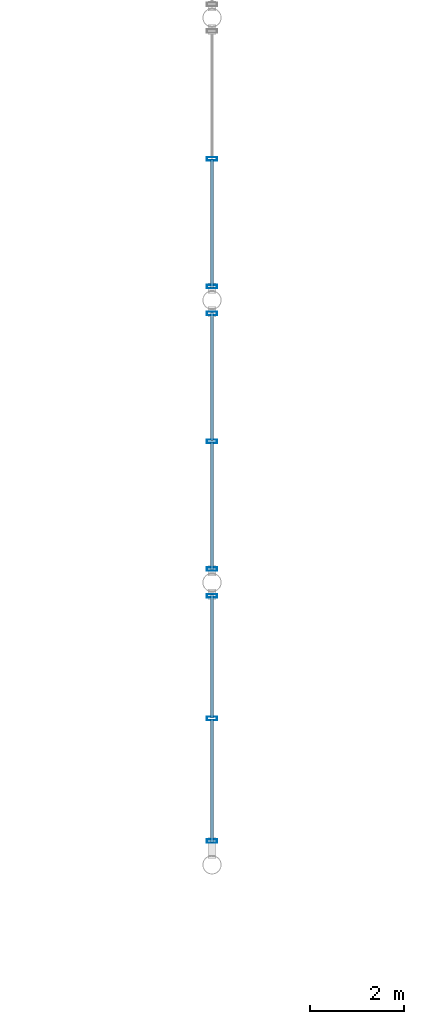
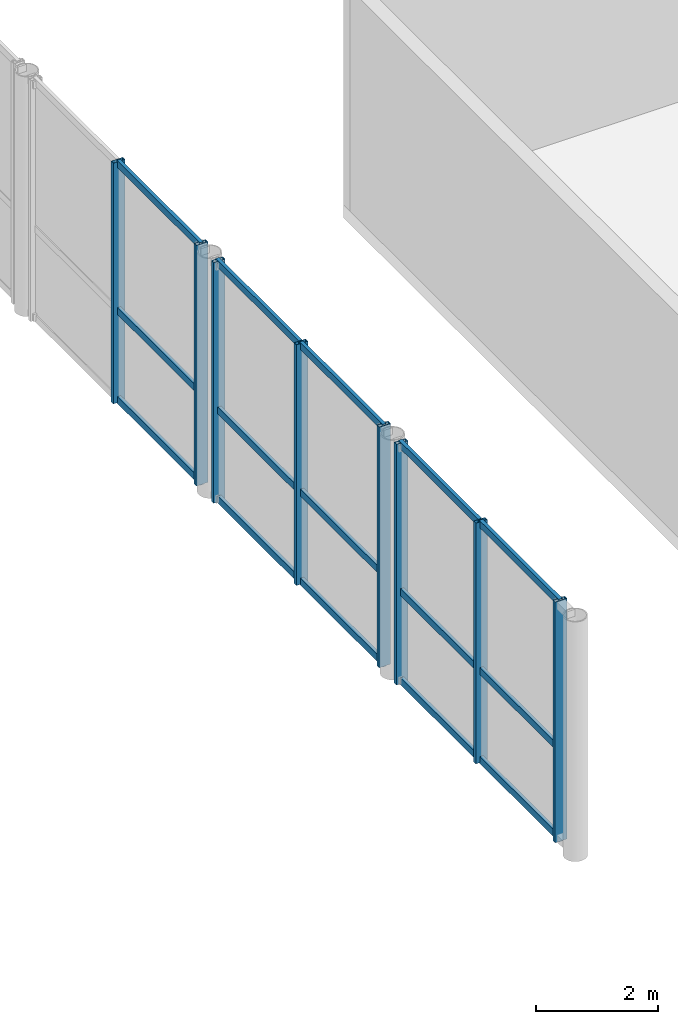
# One storey, part 34 of 123: 23 members, 3 elements without a shape of their own.
"""IFC4 building model written with IfcOpenShell, lengths in metres."""

from ifc_helpers import new_model, si_unit, direction, frame, origin, origin_2d, place, context, subcontext, project, spatial, hollow_rectangle, extrude, material, material_profile, profile_set, type_object, element, aggregate, save


model = new_model("IFC4")

# Units and contexts
model_context = context("Model", 3, precision=1e-05, world=origin(), true_north=direction((0.0, 1.0)))
body_context = subcontext(model_context, "Body", "Model", "MODEL_VIEW")
ifc_project = project(units=[si_unit("LENGTHUNIT", "METRE"), si_unit("AREAUNIT", "SQUARE_METRE"), si_unit("VOLUMEUNIT", "CUBIC_METRE"), si_unit("PLANEANGLEUNIT", "RADIAN"), si_unit("MASSUNIT", "GRAM", prefix="KILO"), si_unit("THERMODYNAMICTEMPERATUREUNIT", "KELVIN"), si_unit("POWERUNIT", "WATT")], contexts=[model_context])

# Site, building, storey
site_placement = place(None, origin())
site = spatial("IfcSite", under=ifc_project, at=site_placement, CompositionType="ELEMENT")
building_placement = place(site_placement, origin())
building = spatial("IfcBuilding", under=site, at=building_placement, Name="Phaisarnlok Congress Hotel", CompositionType="ELEMENT")
storey_placement = place(building_placement, frame((0.0, 0.0, 15.0)))
storey = spatial("IfcBuildingStorey", under=building, at=storey_placement, Name="L03", CompositionType="ELEMENT", Elevation=15.0)

# Curtain wall, members
ifc_material_1 = material(Name="Thermally Broken Unitised Aluminium & Low-E Glazing", Category="aluminium")
curtain_wall_type_1 = type_object("IfcCurtainWallType", Name="CW-UNIT-46", PredefinedType="NOTDEFINED", material=ifc_material_1)
curtain_wall_1_placement = place(storey_placement, origin())
curtain_wall_1 = element("IfcCurtainWall", 1, at=curtain_wall_1_placement, inside=storey, type_object=curtain_wall_type_1, Name="Unitised curtain wall CW-46 (L03)", PredefinedType="NOTDEFINED")
ifc_material_2 = material(Name="Anodised Aluminium Alloy 6063-T6", Category="aluminium")
ifc_material_profile_1 = material_profile(ifc_material_2, hollow_rectangle(XDim=0.074951171875, YDim=0.219970703125, WallThickness=0.0048828125, at=origin_2d()), Name="ALU-M 75x220x5")
ifc_profile_set_1 = profile_set([ifc_material_profile_1], Name="Anodised Aluminium Alloy 6063-T6")
member_type_1 = type_object("IfcMemberType", Name="CWM-220", PredefinedType="MULLION", material=ifc_profile_set_1)
member_1_placement = place(storey_placement, frame((120.0, 53.715087890625, -0.010009765625), z_axis=(0.0, 0.0, 1.0), x_axis=(0.0, -1.0, 0.0)))
member_1 = element("IfcMember", 2, at=member_1_placement, type_object=member_type_1, Name="Curtain wall mullion CWM-02", PredefinedType="MULLION", context=body_context, shape_type="SweptSolid", body=[
    extrude(hollow_rectangle(XDim=0.074951171875, YDim=0.219970703125, WallThickness=0.0048828125, at=origin_2d()), origin(), (0.0, 0.0, 1.0), 4.820068359375),
])
member_2_placement = place(storey_placement, frame((120.0, 51.110107421875, -0.010009765625), z_axis=(0.0, 0.0, 1.0), x_axis=(0.0, -1.0, 0.0)))
member_2 = element("IfcMember", 3, at=member_2_placement, type_object=member_type_1, Name="Curtain wall mullion CWM-02", PredefinedType="MULLION", context=body_context, shape_type="SweptSolid", body=[
    extrude(hollow_rectangle(XDim=0.074951171875, YDim=0.219970703125, WallThickness=0.0048828125, at=origin_2d()), origin(), (0.0, 0.0, 1.0), 4.820068359375),
])
member_3_placement = place(storey_placement, frame((120.0, 48.5048828125, -0.010009765625), z_axis=(0.0, 0.0, 1.0), x_axis=(0.0, -1.0, 0.0)))
member_3 = element("IfcMember", 4, at=member_3_placement, type_object=member_type_1, Name="Curtain wall mullion CWM-02", PredefinedType="MULLION", context=body_context, shape_type="SweptSolid", body=[
    extrude(hollow_rectangle(XDim=0.074951171875, YDim=0.219970703125, WallThickness=0.0048828125, at=origin_2d()), origin(), (0.0, 0.0, 1.0), 4.820068359375),
])

curtain_wall_type_2 = type_object("IfcCurtainWallType", Name="CW-UNIT-47", PredefinedType="NOTDEFINED", material=ifc_material_1)
curtain_wall_2_placement = place(storey_placement, origin())
curtain_wall_2 = element("IfcCurtainWall", 5, at=curtain_wall_2_placement, inside=storey, type_object=curtain_wall_type_2, Name="Unitised curtain wall CW-47 (L03)", PredefinedType="NOTDEFINED")
member_4_placement = place(storey_placement, frame((120.0, 59.715087890625, -0.010009765625), z_axis=(0.0, 0.0, 1.0), x_axis=(0.0, -1.0, 0.0)))
member_4 = element("IfcMember", 6, at=member_4_placement, type_object=member_type_1, Name="Curtain wall mullion CWM-02", PredefinedType="MULLION", context=body_context, shape_type="SweptSolid", body=[
    extrude(hollow_rectangle(XDim=0.074951171875, YDim=0.219970703125, WallThickness=0.0048828125, at=origin_2d()), origin(), (0.0, 0.0, 1.0), 4.820068359375),
])
member_5_placement = place(storey_placement, frame((120.0, 57.0, -0.010009765625), z_axis=(0.0, 0.0, 1.0), x_axis=(0.0, -1.0, 0.0)))
member_5 = element("IfcMember", 7, at=member_5_placement, type_object=member_type_1, Name="Curtain wall mullion CWM-02", PredefinedType="MULLION", context=body_context, shape_type="SweptSolid", body=[
    extrude(hollow_rectangle(XDim=0.074951171875, YDim=0.219970703125, WallThickness=0.0048828125, at=origin_2d()), origin(), (0.0, 0.0, 1.0), 4.820068359375),
])
member_6_placement = place(storey_placement, frame((120.0, 54.284912109375, -0.010009765625), z_axis=(0.0, 0.0, 1.0), x_axis=(0.0, -1.0, 0.0)))
member_6 = element("IfcMember", 8, at=member_6_placement, type_object=member_type_1, Name="Curtain wall mullion CWM-02", PredefinedType="MULLION", context=body_context, shape_type="SweptSolid", body=[
    extrude(hollow_rectangle(XDim=0.074951171875, YDim=0.219970703125, WallThickness=0.0048828125, at=origin_2d()), origin(), (0.0, 0.0, 1.0), 4.820068359375),
])

curtain_wall_3_placement = place(storey_placement, origin())
curtain_wall_3 = element("IfcCurtainWall", 9, at=curtain_wall_3_placement, inside=storey, type_object=curtain_wall_type_2, Name="Unitised curtain wall CW-47 (L03)", PredefinedType="NOTDEFINED")
member_7_placement = place(storey_placement, frame((120.0, 63.0, -0.010009765625), z_axis=(0.0, 0.0, 1.0), x_axis=(0.0, -1.0, 0.0)))
member_7 = element("IfcMember", 10, at=member_7_placement, type_object=member_type_1, Name="Curtain wall mullion CWM-02", PredefinedType="MULLION", context=body_context, shape_type="SweptSolid", body=[
    extrude(hollow_rectangle(XDim=0.074951171875, YDim=0.219970703125, WallThickness=0.0048828125, at=origin_2d()), origin(), (0.0, 0.0, 1.0), 4.820068359375),
])
member_8_placement = place(storey_placement, frame((120.0, 60.284912109375, -0.010009765625), z_axis=(0.0, 0.0, 1.0), x_axis=(0.0, -1.0, 0.0)))
member_8 = element("IfcMember", 11, at=member_8_placement, type_object=member_type_1, Name="Curtain wall mullion CWM-02", PredefinedType="MULLION", context=body_context, shape_type="SweptSolid", body=[
    extrude(hollow_rectangle(XDim=0.074951171875, YDim=0.219970703125, WallThickness=0.0048828125, at=origin_2d()), origin(), (0.0, 0.0, 1.0), 4.820068359375),
])

# Member
ifc_material_profile_2 = material_profile(ifc_material_2, hollow_rectangle(XDim=0.06494140625, YDim=0.139892578125, WallThickness=0.00390625, at=origin_2d()), Name="ALU-T 65x140x4")
ifc_profile_set_2 = profile_set([ifc_material_profile_2], Name="Anodised Aluminium Alloy 6063-T6")
member_type_2 = type_object("IfcMemberType", Name="CWT-150", PredefinedType="USERDEFINED", material=ifc_profile_set_2)
member_9_placement = place(storey_placement, frame((120.0, 53.739990234375, 0.0400390625), z_axis=(0.0, -1.0, 0.0), x_axis=(1.0, 0.0, 0.0)))
member_9 = element("IfcMember", 12, at=member_9_placement, type_object=member_type_2, Name="Curtain wall transom CWT-01", ObjectType="TRANSOM", PredefinedType="USERDEFINED", context=body_context, shape_type="SweptSolid", body=[
    extrude(hollow_rectangle(XDim=0.06494140625, YDim=0.139892578125, WallThickness=0.00390625, at=origin_2d()), origin(), (0.0, 0.0, 1.0), 2.614990234375),
])

member_10_placement = place(storey_placement, frame((120.0, 53.739990234375, 1.821533203125), z_axis=(0.0, -1.0, 0.0), x_axis=(1.0, 0.0, 0.0)))
member_10 = element("IfcMember", 13, at=member_10_placement, type_object=member_type_2, Name="Curtain wall transom CWT-01", ObjectType="TRANSOM", PredefinedType="USERDEFINED", context=body_context, shape_type="SweptSolid", body=[
    extrude(hollow_rectangle(XDim=0.06494140625, YDim=0.139892578125, WallThickness=0.00390625, at=origin_2d()), origin(), (0.0, 0.0, 1.0), 2.614990234375),
])

member_11_placement = place(storey_placement, frame((120.0, 53.739990234375, 4.760009765625), z_axis=(0.0, -1.0, 0.0), x_axis=(1.0, 0.0, 0.0)))
member_11 = element("IfcMember", 14, at=member_11_placement, type_object=member_type_2, Name="Curtain wall transom CWT-01", ObjectType="TRANSOM", PredefinedType="USERDEFINED", context=body_context, shape_type="SweptSolid", body=[
    extrude(hollow_rectangle(XDim=0.06494140625, YDim=0.139892578125, WallThickness=0.00390625, at=origin_2d()), origin(), (0.0, 0.0, 1.0), 2.614990234375),
])

member_12_placement = place(storey_placement, frame((120.0, 51.094970703125, 0.0400390625), z_axis=(0.0, -1.0, 0.0), x_axis=(1.0, 0.0, 0.0)))
member_12 = element("IfcMember", 15, at=member_12_placement, type_object=member_type_2, Name="Curtain wall transom CWT-01", ObjectType="TRANSOM", PredefinedType="USERDEFINED", context=body_context, shape_type="SweptSolid", body=[
    extrude(hollow_rectangle(XDim=0.06494140625, YDim=0.139892578125, WallThickness=0.00390625, at=origin_2d()), origin(), (0.0, 0.0, 1.0), 2.614990234375),
])

member_13_placement = place(storey_placement, frame((120.0, 51.094970703125, 1.821533203125), z_axis=(0.0, -1.0, 0.0), x_axis=(1.0, 0.0, 0.0)))
member_13 = element("IfcMember", 16, at=member_13_placement, type_object=member_type_2, Name="Curtain wall transom CWT-01", ObjectType="TRANSOM", PredefinedType="USERDEFINED", context=body_context, shape_type="SweptSolid", body=[
    extrude(hollow_rectangle(XDim=0.06494140625, YDim=0.139892578125, WallThickness=0.00390625, at=origin_2d()), origin(), (0.0, 0.0, 1.0), 2.614990234375),
])

member_14_placement = place(storey_placement, frame((120.0, 51.094970703125, 4.760009765625), z_axis=(0.0, -1.0, 0.0), x_axis=(1.0, 0.0, 0.0)))
member_14 = element("IfcMember", 17, at=member_14_placement, type_object=member_type_2, Name="Curtain wall transom CWT-01", ObjectType="TRANSOM", PredefinedType="USERDEFINED", context=body_context, shape_type="SweptSolid", body=[
    extrude(hollow_rectangle(XDim=0.06494140625, YDim=0.139892578125, WallThickness=0.00390625, at=origin_2d()), origin(), (0.0, 0.0, 1.0), 2.614990234375),
])

aggregate(curtain_wall_1, [member_1, member_2, member_3, member_9, member_10, member_11, member_12, member_13, member_14])

member_15_placement = place(storey_placement, frame((120.0, 59.739990234375, 0.0400390625), z_axis=(0.0, -1.0, 0.0), x_axis=(1.0, 0.0, 0.0)))
member_15 = element("IfcMember", 18, at=member_15_placement, type_object=member_type_2, Name="Curtain wall transom CWT-01", ObjectType="TRANSOM", PredefinedType="USERDEFINED", context=body_context, shape_type="SweptSolid", body=[
    extrude(hollow_rectangle(XDim=0.06494140625, YDim=0.139892578125, WallThickness=0.00390625, at=origin_2d()), origin(), (0.0, 0.0, 1.0), 2.72509765625),
])

member_16_placement = place(storey_placement, frame((120.0, 59.739990234375, 1.821533203125), z_axis=(0.0, -1.0, 0.0), x_axis=(1.0, 0.0, 0.0)))
member_16 = element("IfcMember", 19, at=member_16_placement, type_object=member_type_2, Name="Curtain wall transom CWT-01", ObjectType="TRANSOM", PredefinedType="USERDEFINED", context=body_context, shape_type="SweptSolid", body=[
    extrude(hollow_rectangle(XDim=0.06494140625, YDim=0.139892578125, WallThickness=0.00390625, at=origin_2d()), origin(), (0.0, 0.0, 1.0), 2.72509765625),
])

member_17_placement = place(storey_placement, frame((120.0, 59.739990234375, 4.760009765625), z_axis=(0.0, -1.0, 0.0), x_axis=(1.0, 0.0, 0.0)))
member_17 = element("IfcMember", 20, at=member_17_placement, type_object=member_type_2, Name="Curtain wall transom CWT-01", ObjectType="TRANSOM", PredefinedType="USERDEFINED", context=body_context, shape_type="SweptSolid", body=[
    extrude(hollow_rectangle(XDim=0.06494140625, YDim=0.139892578125, WallThickness=0.00390625, at=origin_2d()), origin(), (0.0, 0.0, 1.0), 2.72509765625),
])

member_18_placement = place(storey_placement, frame((120.0, 56.985107421875, 0.0400390625), z_axis=(0.0, -1.0, 0.0), x_axis=(1.0, 0.0, 0.0)))
member_18 = element("IfcMember", 21, at=member_18_placement, type_object=member_type_2, Name="Curtain wall transom CWT-01", ObjectType="TRANSOM", PredefinedType="USERDEFINED", context=body_context, shape_type="SweptSolid", body=[
    extrude(hollow_rectangle(XDim=0.06494140625, YDim=0.139892578125, WallThickness=0.00390625, at=origin_2d()), origin(), (0.0, 0.0, 1.0), 2.72509765625),
])

member_19_placement = place(storey_placement, frame((120.0, 56.985107421875, 1.821533203125), z_axis=(0.0, -1.0, 0.0), x_axis=(1.0, 0.0, 0.0)))
member_19 = element("IfcMember", 22, at=member_19_placement, type_object=member_type_2, Name="Curtain wall transom CWT-01", ObjectType="TRANSOM", PredefinedType="USERDEFINED", context=body_context, shape_type="SweptSolid", body=[
    extrude(hollow_rectangle(XDim=0.06494140625, YDim=0.139892578125, WallThickness=0.00390625, at=origin_2d()), origin(), (0.0, 0.0, 1.0), 2.72509765625),
])

member_20_placement = place(storey_placement, frame((120.0, 56.985107421875, 4.760009765625), z_axis=(0.0, -1.0, 0.0), x_axis=(1.0, 0.0, 0.0)))
member_20 = element("IfcMember", 23, at=member_20_placement, type_object=member_type_2, Name="Curtain wall transom CWT-01", ObjectType="TRANSOM", PredefinedType="USERDEFINED", context=body_context, shape_type="SweptSolid", body=[
    extrude(hollow_rectangle(XDim=0.06494140625, YDim=0.139892578125, WallThickness=0.00390625, at=origin_2d()), origin(), (0.0, 0.0, 1.0), 2.72509765625),
])

aggregate(curtain_wall_2, [member_4, member_5, member_6, member_15, member_16, member_17, member_18, member_19, member_20])

member_21_placement = place(storey_placement, frame((120.0, 62.985107421875, 0.0400390625), z_axis=(0.0, -1.0, 0.0), x_axis=(1.0, 0.0, 0.0)))
member_21 = element("IfcMember", 24, at=member_21_placement, type_object=member_type_2, Name="Curtain wall transom CWT-01", ObjectType="TRANSOM", PredefinedType="USERDEFINED", context=body_context, shape_type="SweptSolid", body=[
    extrude(hollow_rectangle(XDim=0.06494140625, YDim=0.139892578125, WallThickness=0.00390625, at=origin_2d()), origin(), (0.0, 0.0, 1.0), 2.72509765625),
])

member_22_placement = place(storey_placement, frame((120.0, 62.985107421875, 1.821533203125), z_axis=(0.0, -1.0, 0.0), x_axis=(1.0, 0.0, 0.0)))
member_22 = element("IfcMember", 25, at=member_22_placement, type_object=member_type_2, Name="Curtain wall transom CWT-01", ObjectType="TRANSOM", PredefinedType="USERDEFINED", context=body_context, shape_type="SweptSolid", body=[
    extrude(hollow_rectangle(XDim=0.06494140625, YDim=0.139892578125, WallThickness=0.00390625, at=origin_2d()), origin(), (0.0, 0.0, 1.0), 2.72509765625),
])

member_23_placement = place(storey_placement, frame((120.0, 62.985107421875, 4.760009765625), z_axis=(0.0, -1.0, 0.0), x_axis=(1.0, 0.0, 0.0)))
member_23 = element("IfcMember", 26, at=member_23_placement, type_object=member_type_2, Name="Curtain wall transom CWT-01", ObjectType="TRANSOM", PredefinedType="USERDEFINED", context=body_context, shape_type="SweptSolid", body=[
    extrude(hollow_rectangle(XDim=0.06494140625, YDim=0.139892578125, WallThickness=0.00390625, at=origin_2d()), origin(), (0.0, 0.0, 1.0), 2.72509765625),
])

aggregate(curtain_wall_3, [member_7, member_8, member_21, member_22, member_23])

save(model, "model.ifc")
